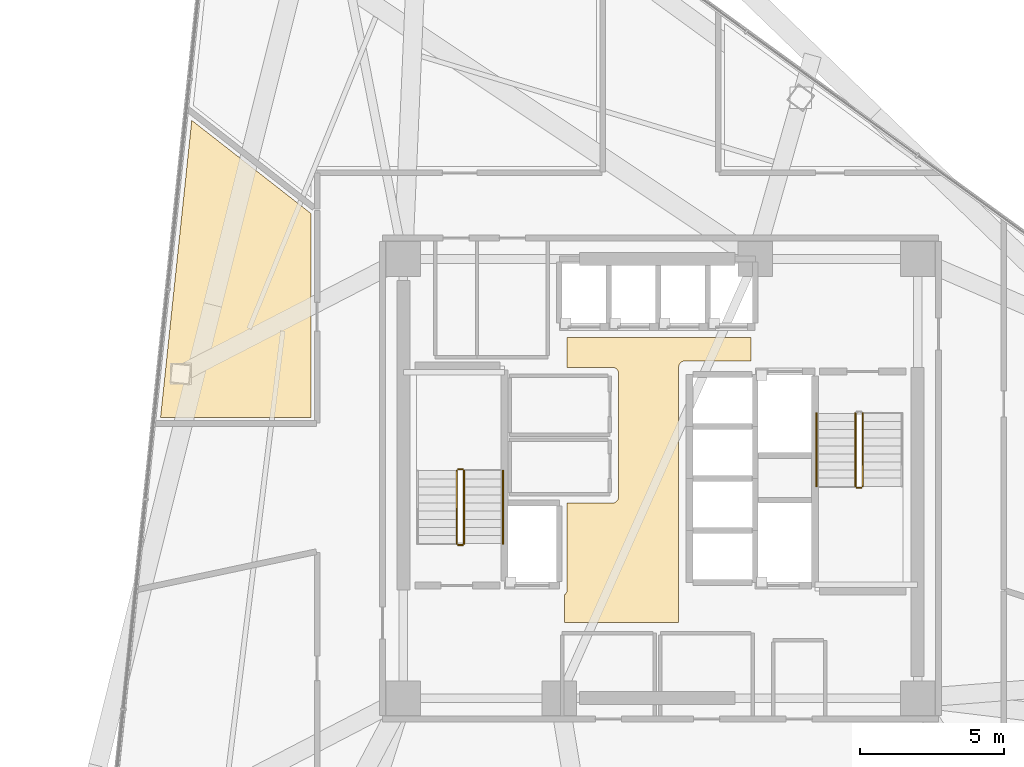
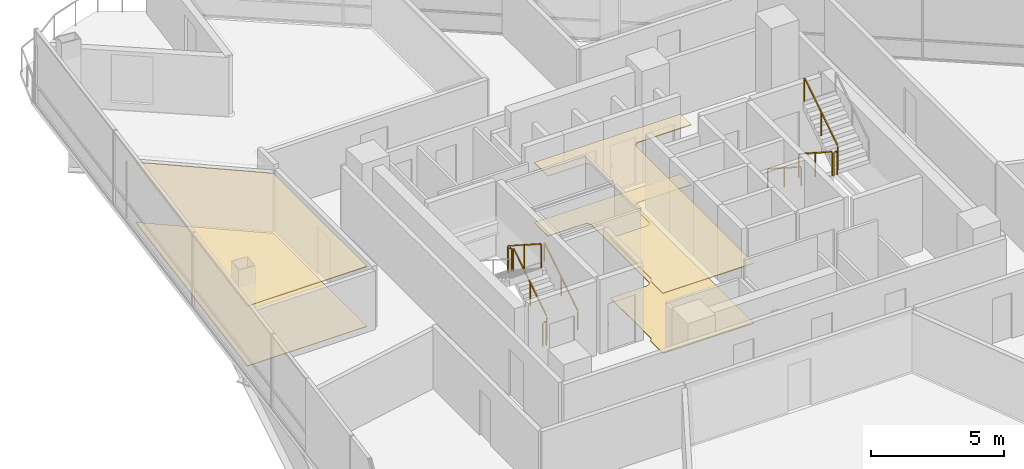
# One storey, part 15 of 17: 9 railings, 4 coverings.
"""IFC4 building model written with IfcOpenShell, lengths in metres."""

from ifc_helpers import new_model, si_unit, direction, frame, origin, origin_2d, place, context, subcontext, project, spatial, polyline, rectangle, outline, extrude, material, layer, layer_set, type_object, element, save


model = new_model("IFC4")

# Units and contexts
model_context = context("Model", 3, precision=1e-05, world=origin(), true_north=direction((0.0, 1.0)))
body_context = subcontext(model_context, "Body", "Model", "MODEL_VIEW")
ifc_project = project(units=[si_unit("LENGTHUNIT", "METRE"), si_unit("AREAUNIT", "SQUARE_METRE"), si_unit("VOLUMEUNIT", "CUBIC_METRE"), si_unit("PLANEANGLEUNIT", "RADIAN"), si_unit("MASSUNIT", "GRAM", prefix="KILO")], contexts=[model_context])

# Site, building, storey
site_placement = place(None, origin())
site = spatial("IfcSite", under=ifc_project, at=site_placement, CompositionType="ELEMENT")
building_placement = place(site_placement, origin())
building = spatial("IfcBuilding", under=site, at=building_placement, Name="Tharavind Bronze Gate", CompositionType="ELEMENT")
storey_placement = place(building_placement, frame((0.0, 0.0, 112.449951171875)))
storey = spatial("IfcBuildingStorey", under=building, at=storey_placement, Name="L28", CompositionType="ELEMENT", Elevation=112.449951171875)

# Coverings
ifc_material_1 = material(Name="Perforated Bronze Acoustic Panel", Category="bronze")
ifc_layer_1 = layer(ifc_material_1, 0.044921875)
ifc_layer_set_1 = layer_set([ifc_layer_1], Name="Perforated Bronze Acoustic Panel")
covering_type_1 = type_object("IfcCoveringType", Name="ACOUSTIC BRONZE BAFFLE CEILING", PredefinedType="CEILING", material=ifc_layer_set_1)
covering_1_placement = place(storey_placement, frame((0.0, 0.0, 2.75)))
element("IfcCovering", 1, at=covering_1_placement, inside=storey, type_object=covering_type_1, Name="L28-C-LL suspended ceiling", PredefinedType="CEILING", context=body_context, shape_type="SweptSolid", body=[
    extrude(outline(polyline([(-3.330078125, -4.97998046875), (0.6298828125, -4.97998046875), (0.6298828125, 3.85009765625), (0.631103515625, 3.87158203125), (0.63427734375, 3.892822265625), (0.639404296875, 3.913818359375), (0.646728515625, 3.93408203125), (0.656005859375, 3.95361328125), (0.6669921875, 3.97216796875), (0.679931640625, 3.989501953125), (0.6943359375, 4.005615234375), (0.71044921875, 4.02001953125), (0.727783203125, 4.032958984375), (0.746337890625, 4.0439453125), (0.765869140625, 4.05322265625), (0.7861328125, 4.060546875), (0.80712890625, 4.06591796875), (0.828369140625, 4.06884765625), (0.85009765625, 4.070068359375), (3.1298828125, 4.070068359375), (3.1298828125, 4.8798828125), (-3.22998046875, 4.8798828125), (-3.22998046875, 3.85009765625), (-1.669921875, 3.85009765625), (-1.6484375, 3.848876953125), (-1.627197265625, 3.845703125), (-1.606201171875, 3.840576171875), (-1.585693359375, 3.833251953125), (-1.56640625, 3.823974609375), (-1.5478515625, 3.81298828125), (-1.530517578125, 3.800048828125), (-1.514404296875, 3.78564453125), (-1.5, 3.76953125), (-1.487060546875, 3.752197265625), (-1.47607421875, 3.733642578125), (-1.466796875, 3.714111328125), (-1.45947265625, 3.69384765625), (-1.4541015625, 3.6728515625), (-1.451171875, 3.651611328125), (-1.449951171875, 3.6298828125), (-1.449951171875, 1.43994140625), (-1.450439453125, 1.429931640625), (-1.449951171875, 1.419921875), (-1.449951171875, -0.6298828125), (-1.451171875, -0.651611328125), (-1.4541015625, -0.6728515625), (-1.45947265625, -0.69384765625), (-1.466796875, -0.714111328125), (-1.47607421875, -0.733642578125), (-1.487060546875, -0.752197265625), (-1.5, -0.76953125), (-1.514404296875, -0.78564453125), (-1.530517578125, -0.800048828125), (-1.5478515625, -0.81298828125), (-1.56640625, -0.823974609375), (-1.585693359375, -0.833251953125), (-1.606201171875, -0.840576171875), (-1.627197265625, -0.845703125), (-1.6484375, -0.848876953125), (-1.669921875, -0.85009765625), (-3.22998046875, -0.85009765625), (-3.22998046875, -3.85009765625), (-3.231201171875, -3.87158203125), (-3.234130859375, -3.892822265625), (-3.239501953125, -3.913818359375), (-3.24658203125, -3.93408203125), (-3.256103515625, -3.95361328125), (-3.26708984375, -3.97216796875), (-3.27978515625, -3.989501953125), (-3.29443359375, -4.005615234375), (-3.310302734375, -4.02001953125), (-3.327880859375, -4.032958984375), (-3.330078125, -4.0341796875), (-3.330078125, -4.97998046875)])), origin(), (0.0, 0.0, 1.0), 0.03515625),
])
ifc_material_2 = material(Name="Engineered Oak & Carpet Tile", Category="wood")
ifc_layer_2 = layer(ifc_material_2, 0.02490234375)
ifc_layer_set_2 = layer_set([ifc_layer_2], Name="Engineered Oak & Carpet Tile")
covering_type_2 = type_object("IfcCoveringType", Name="ENGINEERED TIMBER FLOORING", PredefinedType="FLOORING", material=ifc_layer_set_2)
covering_2_placement = place(storey_placement, origin())
element("IfcCovering", 2, at=covering_2_placement, inside=storey, type_object=covering_type_2, Name="L28-RM-03 floor finish", PredefinedType="FLOORING", context=body_context, shape_type="SweptSolid", body=[
    extrude(outline(polyline([(-12.10009765625, 2.1201171875), (-12.10009765625, 9.17431640625), (-16.221435546875, 12.39453125), (-17.301513671875, 2.1201171875), (-12.10009765625, 2.1201171875)])), origin(), (0.0, 0.0, 1.0), 0.025146484375),
])
ifc_material_3 = material(Name="Acoustic Gypsum Board", Category="gypsum")
ifc_layer_3 = layer(ifc_material_3, 0.030029296875)
ifc_layer_set_3 = layer_set([ifc_layer_3], Name="Acoustic Gypsum Board")
covering_type_3 = type_object("IfcCoveringType", Name="GYPSUM SUSPENDED CEILING", PredefinedType="CEILING", material=ifc_layer_set_3)
covering_3_placement = place(storey_placement, frame((0.0, 0.0, 2.75)))
element("IfcCovering", 3, at=covering_3_placement, inside=storey, type_object=covering_type_3, Name="L28-RM-03 suspended ceiling", PredefinedType="CEILING", context=body_context, shape_type="SweptSolid", body=[
    extrude(outline(polyline([(-12.10009765625, 2.1201171875), (-12.10009765625, 9.17431640625), (-16.221435546875, 12.39453125), (-17.301513671875, 2.1201171875), (-12.10009765625, 2.1201171875)])), origin(), (0.0, 0.0, 1.0), 0.03515625),
])
ifc_material_4 = material(Name="Honed Travertine Limestone", Category="masonry")
ifc_layer_4 = layer(ifc_material_4, 0.030029296875)
ifc_layer_set_4 = layer_set([ifc_layer_4], Name="Honed Travertine Limestone")
covering_type_4 = type_object("IfcCoveringType", Name="HONED LIMESTONE FLOORING", PredefinedType="FLOORING", material=ifc_layer_set_4)
covering_4_placement = place(storey_placement, origin())
element("IfcCovering", 4, at=covering_4_placement, inside=storey, type_object=covering_type_4, Name="L28-C-LL floor finish", PredefinedType="FLOORING", context=body_context, shape_type="SweptSolid", body=[
    extrude(outline(polyline([(-3.330078125, -4.97998046875), (0.6298828125, -4.97998046875), (0.6298828125, 3.85009765625), (0.631103515625, 3.87158203125), (0.63427734375, 3.892822265625), (0.639404296875, 3.913818359375), (0.646728515625, 3.93408203125), (0.656005859375, 3.95361328125), (0.6669921875, 3.97216796875), (0.679931640625, 3.989501953125), (0.6943359375, 4.005615234375), (0.71044921875, 4.02001953125), (0.727783203125, 4.032958984375), (0.746337890625, 4.0439453125), (0.765869140625, 4.05322265625), (0.7861328125, 4.060546875), (0.80712890625, 4.06591796875), (0.828369140625, 4.06884765625), (0.85009765625, 4.070068359375), (3.1298828125, 4.070068359375), (3.1298828125, 4.8798828125), (-3.22998046875, 4.8798828125), (-3.22998046875, 3.85009765625), (-1.669921875, 3.85009765625), (-1.6484375, 3.848876953125), (-1.627197265625, 3.845703125), (-1.606201171875, 3.840576171875), (-1.585693359375, 3.833251953125), (-1.56640625, 3.823974609375), (-1.5478515625, 3.81298828125), (-1.530517578125, 3.800048828125), (-1.514404296875, 3.78564453125), (-1.5, 3.76953125), (-1.487060546875, 3.752197265625), (-1.47607421875, 3.733642578125), (-1.466796875, 3.714111328125), (-1.45947265625, 3.69384765625), (-1.4541015625, 3.6728515625), (-1.451171875, 3.651611328125), (-1.449951171875, 3.6298828125), (-1.449951171875, 1.43994140625), (-1.450439453125, 1.429931640625), (-1.449951171875, 1.419921875), (-1.449951171875, -0.6298828125), (-1.451171875, -0.651611328125), (-1.4541015625, -0.6728515625), (-1.45947265625, -0.69384765625), (-1.466796875, -0.714111328125), (-1.47607421875, -0.733642578125), (-1.487060546875, -0.752197265625), (-1.5, -0.76953125), (-1.514404296875, -0.78564453125), (-1.530517578125, -0.800048828125), (-1.5478515625, -0.81298828125), (-1.56640625, -0.823974609375), (-1.585693359375, -0.833251953125), (-1.606201171875, -0.840576171875), (-1.627197265625, -0.845703125), (-1.6484375, -0.848876953125), (-1.669921875, -0.85009765625), (-3.22998046875, -0.85009765625), (-3.22998046875, -3.85009765625), (-3.231201171875, -3.87158203125), (-3.234130859375, -3.892822265625), (-3.239501953125, -3.913818359375), (-3.24658203125, -3.93408203125), (-3.256103515625, -3.95361328125), (-3.26708984375, -3.97216796875), (-3.27978515625, -3.989501953125), (-3.29443359375, -4.005615234375), (-3.310302734375, -4.02001953125), (-3.327880859375, -4.032958984375), (-3.330078125, -4.0341796875), (-3.330078125, -4.97998046875)])), origin(), (0.0, 0.0, 1.0), 0.025146484375),
])

# Railings
ifc_material_5 = material(Name="Brushed Bronze Alloy", Category="metal")
railing_type_1 = type_object("IfcRailingType", Name="STAIR BRONZE HANDRAIL 900", PredefinedType="HANDRAIL", material=ifc_material_5)
railing_1_placement = place(storey_placement, frame((-5.449951171875, -2.25, 0.179931640625)))
element("IfcRailing", 5, at=railing_1_placement, inside=storey, type_object=railing_type_1, Name="L28 ST1 stair handrail 1", PredefinedType="HANDRAIL", context=body_context, shape_type="SweptSolid", body=[
    extrude(rectangle(XDim=0.048095703125, YDim=0.048095703125, at=origin_2d()), frame((0.0, 0.02685546875, 0.89306640625), z_axis=(0.0, 0.841162588446, 0.540782303519), x_axis=(-1.0, 0.0, 0.0)), (0.0, 0.0, 1.0), 2.931884765625),
    extrude(rectangle(XDim=0.0400390625, YDim=0.0400390625, at=origin_2d()), origin(), (0.0, 0.0, 1.0), 0.847900390625),
    extrude(rectangle(XDim=0.0400390625, YDim=0.0400390625, at=origin_2d()), frame((0.0, 1.260009765625, 0.81005859375)), (0.0, 0.0, 1.0), 0.847900390625),
    extrude(rectangle(XDim=0.0400390625, YDim=0.0400390625, at=origin_2d()), frame((0.0, 2.52001953125, 1.6201171875)), (0.0, 0.0, 1.0), 0.847900390625),
])
railing_2_placement = place(storey_placement, frame((5.39990234375, 2.25, 0.179931640625)))
element("IfcRailing", 6, at=railing_2_placement, inside=storey, type_object=railing_type_1, Name="L28 ST2 stair handrail 1", PredefinedType="HANDRAIL", context=body_context, shape_type="SweptSolid", body=[
    extrude(rectangle(XDim=0.048095703125, YDim=0.048095703125, at=origin_2d()), frame((0.0, -0.02685546875, 0.89306640625), z_axis=(0.0, -0.841162588446, 0.540782303519), x_axis=(1.0, 0.0, 0.0)), (0.0, 0.0, 1.0), 2.931884765625),
    extrude(rectangle(XDim=0.0400390625, YDim=0.0400390625, at=origin_2d()), origin(), (0.0, 0.0, 1.0), 0.847900390625),
    extrude(rectangle(XDim=0.0400390625, YDim=0.0400390625, at=origin_2d()), frame((0.0, -1.260009765625, 0.81005859375)), (0.0, 0.0, 1.0), 0.847900390625),
    extrude(rectangle(XDim=0.0400390625, YDim=0.0400390625, at=origin_2d()), frame((0.0, -2.52001953125, 1.6201171875)), (0.0, 0.0, 1.0), 0.847900390625),
])
railing_type_2 = type_object("IfcRailingType", Name="STAIR WELL GUARD RAILING 1120", PredefinedType="GUARDRAIL", material=ifc_material_5)
railing_3_placement = place(storey_placement, frame((-6.800048828125, -2.25, 0.179931640625)))
element("IfcRailing", 7, at=railing_3_placement, inside=storey, type_object=railing_type_2, Name="L28 ST1 stair guard 1", PredefinedType="GUARDRAIL", context=body_context, shape_type="SweptSolid", body=[
    extrude(rectangle(XDim=0.048095703125, YDim=0.048095703125, at=origin_2d()), frame((0.0, 0.02685546875, 1.11328125), z_axis=(0.0, 0.841162588446, 0.540782303519), x_axis=(-1.0, 0.0, 0.0)), (0.0, 0.0, 1.0), 2.931884765625),
    extrude(rectangle(XDim=0.0400390625, YDim=0.0400390625, at=origin_2d()), origin(), (0.0, 0.0, 1.0), 1.068115234375),
    extrude(rectangle(XDim=0.0400390625, YDim=0.0400390625, at=origin_2d()), frame((0.0, 1.260009765625, 0.81005859375)), (0.0, 0.0, 1.0), 1.068115234375),
    extrude(rectangle(XDim=0.0400390625, YDim=0.0400390625, at=origin_2d()), frame((0.0, 2.52001953125, 1.6201171875)), (0.0, 0.0, 1.0), 1.068115234375),
])
railing_4_placement = place(storey_placement, frame((-6.85009765625, 0.320068359375, 1.800048828125)))
element("IfcRailing", 8, at=railing_4_placement, inside=storey, type_object=railing_type_2, Name="L28 ST1 stair guard 2", PredefinedType="GUARDRAIL", context=body_context, shape_type="SweptSolid", body=[
    extrude(rectangle(XDim=0.048095703125, YDim=0.048095703125, at=origin_2d()), frame((-0.031982421875, 0.0, 1.09619140625), z_axis=(-1.0, 0.0, 0.0), x_axis=(0.0, -1.0, 0.0)), (0.0, 0.0, 1.0), 0.0859375),
    extrude(rectangle(XDim=0.0400390625, YDim=0.0400390625, at=origin_2d()), origin(), (0.0, 0.0, 1.0), 1.068115234375),
    extrude(rectangle(XDim=0.0400390625, YDim=0.0400390625, at=origin_2d()), frame((-0.14990234375, 0.0, 0.0)), (0.0, 0.0, 1.0), 1.068115234375),
])
railing_5_placement = place(storey_placement, frame((-7.050048828125, 0.27001953125, 1.97998046875)))
element("IfcRailing", 9, at=railing_5_placement, inside=storey, type_object=railing_type_2, Name="L28 ST1 stair guard 3", PredefinedType="GUARDRAIL", context=body_context, shape_type="SweptSolid", body=[
    extrude(rectangle(XDim=0.048095703125, YDim=0.048095703125, at=origin_2d()), frame((0.0, -0.02685546875, 1.11328125), z_axis=(0.0, -0.841162588446, 0.540782303519), x_axis=(1.0, 0.0, 0.0)), (0.0, 0.0, 1.0), 2.931884765625),
    extrude(rectangle(XDim=0.0400390625, YDim=0.0400390625, at=origin_2d()), origin(), (0.0, 0.0, 1.0), 1.068115234375),
    extrude(rectangle(XDim=0.0400390625, YDim=0.0400390625, at=origin_2d()), frame((0.0, -1.260009765625, 0.81005859375)), (0.0, 0.0, 1.0), 1.068115234375),
    extrude(rectangle(XDim=0.0400390625, YDim=0.0400390625, at=origin_2d()), frame((0.0, -2.52001953125, 1.6201171875)), (0.0, 0.0, 1.0), 1.068115234375),
])
railing_6_placement = place(storey_placement, frame((-6.85009765625, -2.300048828125, 0.0)))
element("IfcRailing", 10, at=railing_6_placement, inside=storey, type_object=railing_type_2, Name="L28 ST1 stair guard 4", PredefinedType="GUARDRAIL", context=body_context, shape_type="SweptSolid", body=[
    extrude(rectangle(XDim=0.048095703125, YDim=0.048095703125, at=origin_2d()), frame((-0.031982421875, 0.0, 1.09619140625), z_axis=(-1.0, 0.0, 0.0), x_axis=(0.0, -1.0, 0.0)), (0.0, 0.0, 1.0), 0.0859375),
    extrude(rectangle(XDim=0.0400390625, YDim=0.0400390625, at=origin_2d()), origin(), (0.0, 0.0, 1.0), 1.068115234375),
    extrude(rectangle(XDim=0.0400390625, YDim=0.0400390625, at=origin_2d()), frame((-0.14990234375, 0.0, 0.0)), (0.0, 0.0, 1.0), 1.068115234375),
])
railing_7_placement = place(storey_placement, frame((6.75, 2.25, 0.179931640625)))
element("IfcRailing", 11, at=railing_7_placement, inside=storey, type_object=railing_type_2, Name="L28 ST2 stair guard 1", PredefinedType="GUARDRAIL", context=body_context, shape_type="SweptSolid", body=[
    extrude(rectangle(XDim=0.048095703125, YDim=0.048095703125, at=origin_2d()), frame((0.0, -0.02685546875, 1.11328125), z_axis=(0.0, -0.841162588446, 0.540782303519), x_axis=(1.0, 0.0, 0.0)), (0.0, 0.0, 1.0), 2.931884765625),
    extrude(rectangle(XDim=0.0400390625, YDim=0.0400390625, at=origin_2d()), origin(), (0.0, 0.0, 1.0), 1.068115234375),
    extrude(rectangle(XDim=0.0400390625, YDim=0.0400390625, at=origin_2d()), frame((0.0, -1.260009765625, 0.81005859375)), (0.0, 0.0, 1.0), 1.068115234375),
    extrude(rectangle(XDim=0.0400390625, YDim=0.0400390625, at=origin_2d()), frame((0.0, -2.52001953125, 1.6201171875)), (0.0, 0.0, 1.0), 1.068115234375),
])
railing_8_placement = place(storey_placement, frame((6.800048828125, -0.320068359375, 1.800048828125)))
element("IfcRailing", 12, at=railing_8_placement, inside=storey, type_object=railing_type_2, Name="L28 ST2 stair guard 2", PredefinedType="GUARDRAIL", context=body_context, shape_type="SweptSolid", body=[
    extrude(rectangle(XDim=0.048095703125, YDim=0.048095703125, at=origin_2d()), frame((0.031982421875, 0.0, 1.09619140625), z_axis=(1.0, 0.0, 0.0), x_axis=(0.0, 1.0, 0.0)), (0.0, 0.0, 1.0), 0.0859375),
    extrude(rectangle(XDim=0.0400390625, YDim=0.0400390625, at=origin_2d()), origin(), (0.0, 0.0, 1.0), 1.068115234375),
    extrude(rectangle(XDim=0.0400390625, YDim=0.0400390625, at=origin_2d()), frame((0.14990234375, 0.0, 0.0)), (0.0, 0.0, 1.0), 1.068115234375),
])
railing_9_placement = place(storey_placement, frame((7.0, -0.27001953125, 1.97998046875)))
element("IfcRailing", 13, at=railing_9_placement, inside=storey, type_object=railing_type_2, Name="L28 ST2 stair guard 3", PredefinedType="GUARDRAIL", context=body_context, shape_type="SweptSolid", body=[
    extrude(rectangle(XDim=0.048095703125, YDim=0.048095703125, at=origin_2d()), frame((0.0, 0.02685546875, 1.11328125), z_axis=(0.0, 0.841162588446, 0.540782303519), x_axis=(-1.0, 0.0, 0.0)), (0.0, 0.0, 1.0), 2.931884765625),
    extrude(rectangle(XDim=0.0400390625, YDim=0.0400390625, at=origin_2d()), origin(), (0.0, 0.0, 1.0), 1.068115234375),
    extrude(rectangle(XDim=0.0400390625, YDim=0.0400390625, at=origin_2d()), frame((0.0, 1.260009765625, 0.81005859375)), (0.0, 0.0, 1.0), 1.068115234375),
    extrude(rectangle(XDim=0.0400390625, YDim=0.0400390625, at=origin_2d()), frame((0.0, 2.52001953125, 1.6201171875)), (0.0, 0.0, 1.0), 1.068115234375),
])

save(model, "model.ifc")
